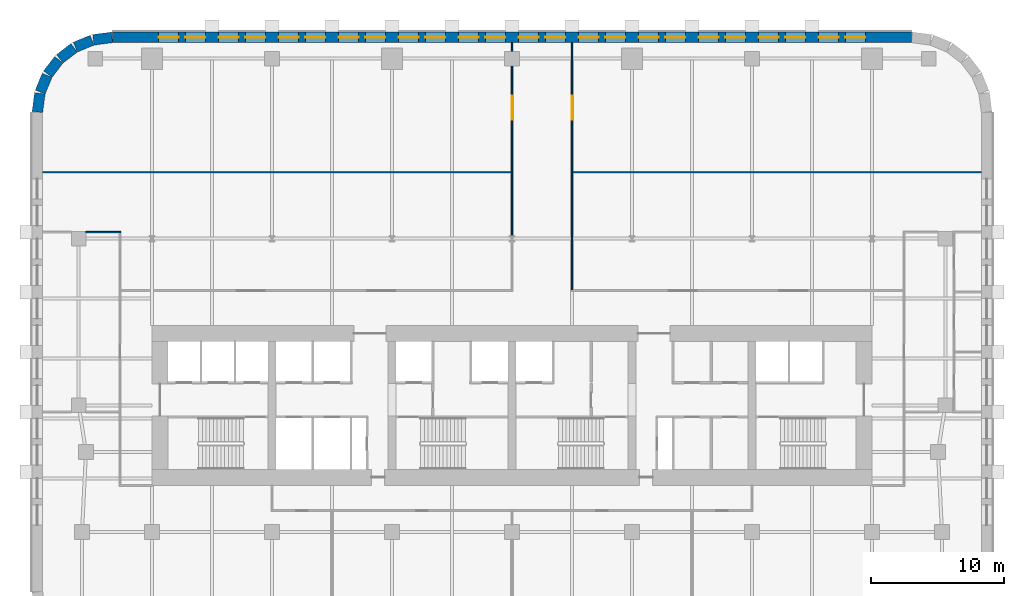
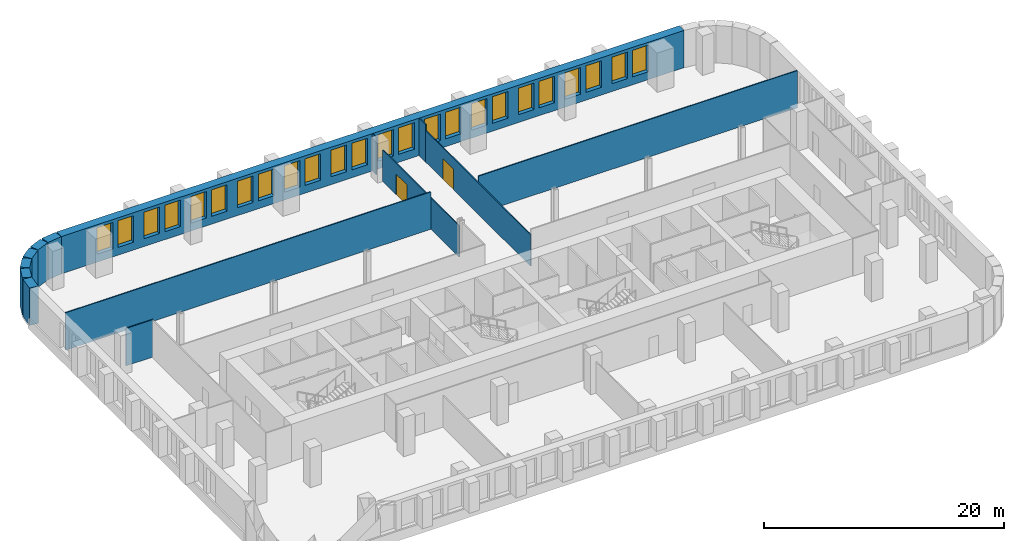
# One storey, part 7 of 11: 24 windows, 14 walls, 2 doors, 26 openings.
"""IFC4 building model written with IfcOpenShell, lengths in metres."""

from ifc_helpers import new_model, si_unit, direction, frame, frame_2d, origin, place, context, subcontext, project, spatial, rectangle, extrude, material, layer, layer_set, type_object, element, fill, save


model = new_model("IFC4")

# Units and contexts
model_context = context("Model", 3, precision=1e-05, world=origin(), true_north=direction((0.0, 1.0)))
body_context = subcontext(model_context, "Body", "Model", "MODEL_VIEW")
ifc_project = project(units=[si_unit("LENGTHUNIT", "METRE"), si_unit("AREAUNIT", "SQUARE_METRE"), si_unit("VOLUMEUNIT", "CUBIC_METRE"), si_unit("PLANEANGLEUNIT", "RADIAN"), si_unit("MASSUNIT", "GRAM", prefix="KILO")], contexts=[model_context])

# Site, building, storey
site_placement = place(None, origin())
site = spatial("IfcSite", under=ifc_project, at=site_placement, CompositionType="ELEMENT")
building_placement = place(site_placement, origin())
building = spatial("IfcBuilding", under=site, at=building_placement, Name="Zellij Exchange Tower", CompositionType="ELEMENT")
storey_placement = place(building_placement, frame((0.0, 0.0, 80.5)))
storey = spatial("IfcBuildingStorey", under=building, at=storey_placement, Name="L16", CompositionType="ELEMENT", Elevation=80.5)

# Wall, openings, windows
ifc_material_1 = material(Name="Precast concrete C40/50", Category="concrete")
ifc_layer_1 = layer(ifc_material_1, 0.800048828125)
ifc_layer_set_1 = layer_set([ifc_layer_1], Name="Precast concrete C40/50")
wall_type_1 = type_object("IfcWallType", Name="ENV-EW1 Precast stone-piered wall 800", PredefinedType="SOLIDWALL", material=ifc_layer_set_1)
wall_1_placement = place(storey_placement, frame((29.947509765625, 19.60009765625, 0.0), z_axis=(0.0, 0.0, 1.0), x_axis=(-1.0, 0.0, 0.0)))
wall_1 = element("IfcWall", 1, at=wall_1_placement, inside=storey, type_object=wall_type_1, Name="fac.L16.14", PredefinedType="SOLIDWALL", context=body_context, shape_type="SweptSolid", body=[
    extrude(rectangle(XDim=59.89501953125, YDim=0.800048828125, at=frame_2d((29.947509765625, 0.0))), origin(), (0.0, 0.0, 1.0), 3.800048828125),
])
opening_1_placement = place(wall_1_placement, frame((3.447509765625, 0.0, 0.800048828125)))
opening_1 = element("IfcOpeningElement", 2, at=opening_1_placement, cuts=wall_1, Name="Opening FZ1.37", PredefinedType="OPENING", context=body_context, shape_type="SweptSolid", body=[
    extrude(rectangle(XDim=1.5, YDim=2.699951171875, at=frame_2d((0.75, 1.35009765625))), frame((0.0, 0.412109375, 0.0), z_axis=(0.0, -1.0, 0.0), x_axis=(1.0, 0.0, 0.0)), (0.0, 0.0, 1.0), 0.823974609375),
])
opening_2_placement = place(wall_1_placement, frame((5.447509765625, 0.0, 0.800048828125)))
opening_2 = element("IfcOpeningElement", 3, at=opening_2_placement, cuts=wall_1, Name="Opening FZ1.38", PredefinedType="OPENING", context=body_context, shape_type="SweptSolid", body=[
    extrude(rectangle(XDim=1.5, YDim=2.699951171875, at=frame_2d((0.75, 1.35009765625))), frame((0.0, 0.412109375, 0.0), z_axis=(0.0, -1.0, 0.0), x_axis=(1.0, 0.0, 0.0)), (0.0, 0.0, 1.0), 0.823974609375),
])
opening_3_placement = place(wall_1_placement, frame((7.947509765625, 0.0, 0.800048828125)))
opening_3 = element("IfcOpeningElement", 4, at=opening_3_placement, cuts=wall_1, Name="Opening FZ1.39", PredefinedType="OPENING", context=body_context, shape_type="SweptSolid", body=[
    extrude(rectangle(XDim=1.5, YDim=2.699951171875, at=frame_2d((0.75, 1.35009765625))), frame((0.0, 0.412109375, 0.0), z_axis=(0.0, -1.0, 0.0), x_axis=(1.0, 0.0, 0.0)), (0.0, 0.0, 1.0), 0.823974609375),
])
opening_4_placement = place(wall_1_placement, frame((9.947509765625, 0.0, 0.800048828125)))
opening_4 = element("IfcOpeningElement", 5, at=opening_4_placement, cuts=wall_1, Name="Opening FZ1.40", PredefinedType="OPENING", context=body_context, shape_type="SweptSolid", body=[
    extrude(rectangle(XDim=1.5, YDim=2.699951171875, at=frame_2d((0.75, 1.35009765625))), frame((0.0, 0.412109375, 0.0), z_axis=(0.0, -1.0, 0.0), x_axis=(1.0, 0.0, 0.0)), (0.0, 0.0, 1.0), 0.823974609375),
])
opening_5_placement = place(wall_1_placement, frame((12.447509765625, 0.0, 0.800048828125)))
opening_5 = element("IfcOpeningElement", 6, at=opening_5_placement, cuts=wall_1, Name="Opening FZ1.41", PredefinedType="OPENING", context=body_context, shape_type="SweptSolid", body=[
    extrude(rectangle(XDim=1.5, YDim=2.699951171875, at=frame_2d((0.75, 1.35009765625))), frame((0.0, 0.412109375, 0.0), z_axis=(0.0, -1.0, 0.0), x_axis=(1.0, 0.0, 0.0)), (0.0, 0.0, 1.0), 0.823974609375),
])
opening_6_placement = place(wall_1_placement, frame((14.447509765625, 0.0, 0.800048828125)))
opening_6 = element("IfcOpeningElement", 7, at=opening_6_placement, cuts=wall_1, Name="Opening FZ1.42", PredefinedType="OPENING", context=body_context, shape_type="SweptSolid", body=[
    extrude(rectangle(XDim=1.5, YDim=2.699951171875, at=frame_2d((0.75, 1.35009765625))), frame((0.0, 0.412109375, 0.0), z_axis=(0.0, -1.0, 0.0), x_axis=(1.0, 0.0, 0.0)), (0.0, 0.0, 1.0), 0.823974609375),
])
opening_7_placement = place(wall_1_placement, frame((16.947509765625, 0.0, 0.800048828125)))
opening_7 = element("IfcOpeningElement", 8, at=opening_7_placement, cuts=wall_1, Name="Opening FZ1.43", PredefinedType="OPENING", context=body_context, shape_type="SweptSolid", body=[
    extrude(rectangle(XDim=1.5, YDim=2.699951171875, at=frame_2d((0.75, 1.35009765625))), frame((0.0, 0.412109375, 0.0), z_axis=(0.0, -1.0, 0.0), x_axis=(1.0, 0.0, 0.0)), (0.0, 0.0, 1.0), 0.823974609375),
])
opening_8_placement = place(wall_1_placement, frame((18.947509765625, 0.0, 0.800048828125)))
opening_8 = element("IfcOpeningElement", 9, at=opening_8_placement, cuts=wall_1, Name="Opening FZ1.44", PredefinedType="OPENING", context=body_context, shape_type="SweptSolid", body=[
    extrude(rectangle(XDim=1.5, YDim=2.699951171875, at=frame_2d((0.75, 1.35009765625))), frame((0.0, 0.412109375, 0.0), z_axis=(0.0, -1.0, 0.0), x_axis=(1.0, 0.0, 0.0)), (0.0, 0.0, 1.0), 0.823974609375),
])
opening_9_placement = place(wall_1_placement, frame((21.447509765625, 0.0, 0.800048828125)))
opening_9 = element("IfcOpeningElement", 10, at=opening_9_placement, cuts=wall_1, Name="Opening FZ1.45", PredefinedType="OPENING", context=body_context, shape_type="SweptSolid", body=[
    extrude(rectangle(XDim=1.5, YDim=2.699951171875, at=frame_2d((0.75, 1.35009765625))), frame((0.0, 0.412109375, 0.0), z_axis=(0.0, -1.0, 0.0), x_axis=(1.0, 0.0, 0.0)), (0.0, 0.0, 1.0), 0.823974609375),
])
opening_10_placement = place(wall_1_placement, frame((23.447509765625, 0.0, 0.800048828125)))
opening_10 = element("IfcOpeningElement", 11, at=opening_10_placement, cuts=wall_1, Name="Opening FZ1.46", PredefinedType="OPENING", context=body_context, shape_type="SweptSolid", body=[
    extrude(rectangle(XDim=1.5, YDim=2.699951171875, at=frame_2d((0.75, 1.35009765625))), frame((0.0, 0.412109375, 0.0), z_axis=(0.0, -1.0, 0.0), x_axis=(1.0, 0.0, 0.0)), (0.0, 0.0, 1.0), 0.823974609375),
])
opening_11_placement = place(wall_1_placement, frame((25.947509765625, 0.0, 0.800048828125)))
opening_11 = element("IfcOpeningElement", 12, at=opening_11_placement, cuts=wall_1, Name="Opening FZ1.47", PredefinedType="OPENING", context=body_context, shape_type="SweptSolid", body=[
    extrude(rectangle(XDim=1.5, YDim=2.699951171875, at=frame_2d((0.75, 1.35009765625))), frame((0.0, 0.412109375, 0.0), z_axis=(0.0, -1.0, 0.0), x_axis=(1.0, 0.0, 0.0)), (0.0, 0.0, 1.0), 0.823974609375),
])
opening_12_placement = place(wall_1_placement, frame((27.947509765625, 0.0, 0.800048828125)))
opening_12 = element("IfcOpeningElement", 13, at=opening_12_placement, cuts=wall_1, Name="Opening FZ1.48", PredefinedType="OPENING", context=body_context, shape_type="SweptSolid", body=[
    extrude(rectangle(XDim=1.5, YDim=2.699951171875, at=frame_2d((0.75, 1.35009765625))), frame((0.0, 0.412109375, 0.0), z_axis=(0.0, -1.0, 0.0), x_axis=(1.0, 0.0, 0.0)), (0.0, 0.0, 1.0), 0.823974609375),
])
opening_13_placement = place(wall_1_placement, frame((30.447509765625, 0.0, 0.800048828125)))
opening_13 = element("IfcOpeningElement", 14, at=opening_13_placement, cuts=wall_1, Name="Opening FZ1.49", PredefinedType="OPENING", context=body_context, shape_type="SweptSolid", body=[
    extrude(rectangle(XDim=1.5, YDim=2.699951171875, at=frame_2d((0.75, 1.35009765625))), frame((0.0, 0.412109375, 0.0), z_axis=(0.0, -1.0, 0.0), x_axis=(1.0, 0.0, 0.0)), (0.0, 0.0, 1.0), 0.823974609375),
])
opening_14_placement = place(wall_1_placement, frame((32.447509765625, 0.0, 0.800048828125)))
opening_14 = element("IfcOpeningElement", 15, at=opening_14_placement, cuts=wall_1, Name="Opening FZ1.50", PredefinedType="OPENING", context=body_context, shape_type="SweptSolid", body=[
    extrude(rectangle(XDim=1.5, YDim=2.699951171875, at=frame_2d((0.75, 1.35009765625))), frame((0.0, 0.412109375, 0.0), z_axis=(0.0, -1.0, 0.0), x_axis=(1.0, 0.0, 0.0)), (0.0, 0.0, 1.0), 0.823974609375),
])
opening_15_placement = place(wall_1_placement, frame((34.947509765625, 0.0, 0.800048828125)))
opening_15 = element("IfcOpeningElement", 16, at=opening_15_placement, cuts=wall_1, Name="Opening FZ1.51", PredefinedType="OPENING", context=body_context, shape_type="SweptSolid", body=[
    extrude(rectangle(XDim=1.5, YDim=2.699951171875, at=frame_2d((0.75, 1.35009765625))), frame((0.0, 0.412109375, 0.0), z_axis=(0.0, -1.0, 0.0), x_axis=(1.0, 0.0, 0.0)), (0.0, 0.0, 1.0), 0.823974609375),
])
opening_16_placement = place(wall_1_placement, frame((36.947509765625, 0.0, 0.800048828125)))
opening_16 = element("IfcOpeningElement", 17, at=opening_16_placement, cuts=wall_1, Name="Opening FZ1.52", PredefinedType="OPENING", context=body_context, shape_type="SweptSolid", body=[
    extrude(rectangle(XDim=1.5, YDim=2.699951171875, at=frame_2d((0.75, 1.35009765625))), frame((0.0, 0.412109375, 0.0), z_axis=(0.0, -1.0, 0.0), x_axis=(1.0, 0.0, 0.0)), (0.0, 0.0, 1.0), 0.823974609375),
])
opening_17_placement = place(wall_1_placement, frame((39.447509765625, 0.0, 0.800048828125)))
opening_17 = element("IfcOpeningElement", 18, at=opening_17_placement, cuts=wall_1, Name="Opening FZ1.53", PredefinedType="OPENING", context=body_context, shape_type="SweptSolid", body=[
    extrude(rectangle(XDim=1.5, YDim=2.699951171875, at=frame_2d((0.75, 1.35009765625))), frame((0.0, 0.412109375, 0.0), z_axis=(0.0, -1.0, 0.0), x_axis=(1.0, 0.0, 0.0)), (0.0, 0.0, 1.0), 0.823974609375),
])
opening_18_placement = place(wall_1_placement, frame((41.447509765625, 0.0, 0.800048828125)))
opening_18 = element("IfcOpeningElement", 19, at=opening_18_placement, cuts=wall_1, Name="Opening FZ1.54", PredefinedType="OPENING", context=body_context, shape_type="SweptSolid", body=[
    extrude(rectangle(XDim=1.5, YDim=2.699951171875, at=frame_2d((0.75, 1.35009765625))), frame((0.0, 0.412109375, 0.0), z_axis=(0.0, -1.0, 0.0), x_axis=(1.0, 0.0, 0.0)), (0.0, 0.0, 1.0), 0.823974609375),
])
opening_19_placement = place(wall_1_placement, frame((43.947509765625, 0.0, 0.800048828125)))
opening_19 = element("IfcOpeningElement", 20, at=opening_19_placement, cuts=wall_1, Name="Opening FZ1.55", PredefinedType="OPENING", context=body_context, shape_type="SweptSolid", body=[
    extrude(rectangle(XDim=1.5, YDim=2.699951171875, at=frame_2d((0.75, 1.35009765625))), frame((0.0, 0.412109375, 0.0), z_axis=(0.0, -1.0, 0.0), x_axis=(1.0, 0.0, 0.0)), (0.0, 0.0, 1.0), 0.823974609375),
])
opening_20_placement = place(wall_1_placement, frame((45.947509765625, 0.0, 0.800048828125)))
opening_20 = element("IfcOpeningElement", 21, at=opening_20_placement, cuts=wall_1, Name="Opening FZ1.56", PredefinedType="OPENING", context=body_context, shape_type="SweptSolid", body=[
    extrude(rectangle(XDim=1.5, YDim=2.699951171875, at=frame_2d((0.75, 1.35009765625))), frame((0.0, 0.412109375, 0.0), z_axis=(0.0, -1.0, 0.0), x_axis=(1.0, 0.0, 0.0)), (0.0, 0.0, 1.0), 0.823974609375),
])
opening_21_placement = place(wall_1_placement, frame((48.447509765625, 0.0, 0.800048828125)))
opening_21 = element("IfcOpeningElement", 22, at=opening_21_placement, cuts=wall_1, Name="Opening FZ1.57", PredefinedType="OPENING", context=body_context, shape_type="SweptSolid", body=[
    extrude(rectangle(XDim=1.5, YDim=2.699951171875, at=frame_2d((0.75, 1.35009765625))), frame((0.0, 0.412109375, 0.0), z_axis=(0.0, -1.0, 0.0), x_axis=(1.0, 0.0, 0.0)), (0.0, 0.0, 1.0), 0.823974609375),
])
opening_22_placement = place(wall_1_placement, frame((50.447509765625, 0.0, 0.800048828125)))
opening_22 = element("IfcOpeningElement", 23, at=opening_22_placement, cuts=wall_1, Name="Opening FZ1.58", PredefinedType="OPENING", context=body_context, shape_type="SweptSolid", body=[
    extrude(rectangle(XDim=1.5, YDim=2.699951171875, at=frame_2d((0.75, 1.35009765625))), frame((0.0, 0.412109375, 0.0), z_axis=(0.0, -1.0, 0.0), x_axis=(1.0, 0.0, 0.0)), (0.0, 0.0, 1.0), 0.823974609375),
])
opening_23_placement = place(wall_1_placement, frame((52.947509765625, 0.0, 0.800048828125)))
opening_23 = element("IfcOpeningElement", 24, at=opening_23_placement, cuts=wall_1, Name="Opening FZ1.59", PredefinedType="OPENING", context=body_context, shape_type="SweptSolid", body=[
    extrude(rectangle(XDim=1.5, YDim=2.699951171875, at=frame_2d((0.75, 1.35009765625))), frame((0.0, 0.412109375, 0.0), z_axis=(0.0, -1.0, 0.0), x_axis=(1.0, 0.0, 0.0)), (0.0, 0.0, 1.0), 0.823974609375),
])
opening_24_placement = place(wall_1_placement, frame((54.947509765625, 0.0, 0.800048828125)))
opening_24 = element("IfcOpeningElement", 25, at=opening_24_placement, cuts=wall_1, Name="Opening FZ1.60", PredefinedType="OPENING", context=body_context, shape_type="SweptSolid", body=[
    extrude(rectangle(XDim=1.5, YDim=2.699951171875, at=frame_2d((0.75, 1.35009765625))), frame((0.0, 0.412109375, 0.0), z_axis=(0.0, -1.0, 0.0), x_axis=(1.0, 0.0, 0.0)), (0.0, 0.0, 1.0), 0.823974609375),
])
ifc_material_2 = material(Name="Aluminium frame with insulating glass", Category="aluminium")
window_type = type_object("IfcWindowType", Name="ENV-W6 Window 1500x2700", PartitioningType="SINGLE_PANEL", PredefinedType="WINDOW", material=ifc_material_2)
window_1_placement = place(opening_1_placement, origin())
window_1 = element("IfcWindow", 26, at=window_1_placement, inside=storey, type_object=window_type, Name="Window FZ1.37", OverallHeight=2.699951171875, OverallWidth=1.5, PartitioningType="SINGLE_PANEL", PredefinedType="WINDOW", context=body_context, shape_type="SweptSolid", body=[
    extrude(rectangle(XDim=1.5, YDim=2.699951171875, at=frame_2d((0.75, 1.35009765625))), frame((0.0, 0.030029296875, 0.0), z_axis=(0.0, -1.0, 0.0), x_axis=(1.0, 0.0, 0.0)), (0.0, 0.0, 1.0), 0.06005859375),
])
fill(opening_1, window_1)
window_2_placement = place(opening_2_placement, origin())
window_2 = element("IfcWindow", 27, at=window_2_placement, inside=storey, type_object=window_type, Name="Window FZ1.38", OverallHeight=2.699951171875, OverallWidth=1.5, PartitioningType="SINGLE_PANEL", PredefinedType="WINDOW", context=body_context, shape_type="SweptSolid", body=[
    extrude(rectangle(XDim=1.5, YDim=2.699951171875, at=frame_2d((0.75, 1.35009765625))), frame((0.0, 0.030029296875, 0.0), z_axis=(0.0, -1.0, 0.0), x_axis=(1.0, 0.0, 0.0)), (0.0, 0.0, 1.0), 0.06005859375),
])
fill(opening_2, window_2)
window_3_placement = place(opening_3_placement, origin())
window_3 = element("IfcWindow", 28, at=window_3_placement, inside=storey, type_object=window_type, Name="Window FZ1.39", OverallHeight=2.699951171875, OverallWidth=1.5, PartitioningType="SINGLE_PANEL", PredefinedType="WINDOW", context=body_context, shape_type="SweptSolid", body=[
    extrude(rectangle(XDim=1.5, YDim=2.699951171875, at=frame_2d((0.75, 1.35009765625))), frame((0.0, 0.030029296875, 0.0), z_axis=(0.0, -1.0, 0.0), x_axis=(1.0, 0.0, 0.0)), (0.0, 0.0, 1.0), 0.06005859375),
])
fill(opening_3, window_3)
window_4_placement = place(opening_4_placement, origin())
window_4 = element("IfcWindow", 29, at=window_4_placement, inside=storey, type_object=window_type, Name="Window FZ1.40", OverallHeight=2.699951171875, OverallWidth=1.5, PartitioningType="SINGLE_PANEL", PredefinedType="WINDOW", context=body_context, shape_type="SweptSolid", body=[
    extrude(rectangle(XDim=1.5, YDim=2.699951171875, at=frame_2d((0.75, 1.35009765625))), frame((0.0, 0.030029296875, 0.0), z_axis=(0.0, -1.0, 0.0), x_axis=(1.0, 0.0, 0.0)), (0.0, 0.0, 1.0), 0.06005859375),
])
fill(opening_4, window_4)
window_5_placement = place(opening_5_placement, origin())
window_5 = element("IfcWindow", 30, at=window_5_placement, inside=storey, type_object=window_type, Name="Window FZ1.41", OverallHeight=2.699951171875, OverallWidth=1.5, PartitioningType="SINGLE_PANEL", PredefinedType="WINDOW", context=body_context, shape_type="SweptSolid", body=[
    extrude(rectangle(XDim=1.5, YDim=2.699951171875, at=frame_2d((0.75, 1.35009765625))), frame((0.0, 0.030029296875, 0.0), z_axis=(0.0, -1.0, 0.0), x_axis=(1.0, 0.0, 0.0)), (0.0, 0.0, 1.0), 0.06005859375),
])
fill(opening_5, window_5)
window_6_placement = place(opening_6_placement, origin())
window_6 = element("IfcWindow", 31, at=window_6_placement, inside=storey, type_object=window_type, Name="Window FZ1.42", OverallHeight=2.699951171875, OverallWidth=1.5, PartitioningType="SINGLE_PANEL", PredefinedType="WINDOW", context=body_context, shape_type="SweptSolid", body=[
    extrude(rectangle(XDim=1.5, YDim=2.699951171875, at=frame_2d((0.75, 1.35009765625))), frame((0.0, 0.030029296875, 0.0), z_axis=(0.0, -1.0, 0.0), x_axis=(1.0, 0.0, 0.0)), (0.0, 0.0, 1.0), 0.06005859375),
])
fill(opening_6, window_6)
window_7_placement = place(opening_7_placement, origin())
window_7 = element("IfcWindow", 32, at=window_7_placement, inside=storey, type_object=window_type, Name="Window FZ1.43", OverallHeight=2.699951171875, OverallWidth=1.5, PartitioningType="SINGLE_PANEL", PredefinedType="WINDOW", context=body_context, shape_type="SweptSolid", body=[
    extrude(rectangle(XDim=1.5, YDim=2.699951171875, at=frame_2d((0.75, 1.35009765625))), frame((0.0, 0.030029296875, 0.0), z_axis=(0.0, -1.0, 0.0), x_axis=(1.0, 0.0, 0.0)), (0.0, 0.0, 1.0), 0.06005859375),
])
fill(opening_7, window_7)
window_8_placement = place(opening_8_placement, origin())
window_8 = element("IfcWindow", 33, at=window_8_placement, inside=storey, type_object=window_type, Name="Window FZ1.44", OverallHeight=2.699951171875, OverallWidth=1.5, PartitioningType="SINGLE_PANEL", PredefinedType="WINDOW", context=body_context, shape_type="SweptSolid", body=[
    extrude(rectangle(XDim=1.5, YDim=2.699951171875, at=frame_2d((0.75, 1.35009765625))), frame((0.0, 0.030029296875, 0.0), z_axis=(0.0, -1.0, 0.0), x_axis=(1.0, 0.0, 0.0)), (0.0, 0.0, 1.0), 0.06005859375),
])
fill(opening_8, window_8)
window_9_placement = place(opening_9_placement, origin())
window_9 = element("IfcWindow", 34, at=window_9_placement, inside=storey, type_object=window_type, Name="Window FZ1.45", OverallHeight=2.699951171875, OverallWidth=1.5, PartitioningType="SINGLE_PANEL", PredefinedType="WINDOW", context=body_context, shape_type="SweptSolid", body=[
    extrude(rectangle(XDim=1.5, YDim=2.699951171875, at=frame_2d((0.75, 1.35009765625))), frame((0.0, 0.030029296875, 0.0), z_axis=(0.0, -1.0, 0.0), x_axis=(1.0, 0.0, 0.0)), (0.0, 0.0, 1.0), 0.06005859375),
])
fill(opening_9, window_9)
window_10_placement = place(opening_10_placement, origin())
window_10 = element("IfcWindow", 35, at=window_10_placement, inside=storey, type_object=window_type, Name="Window FZ1.46", OverallHeight=2.699951171875, OverallWidth=1.5, PartitioningType="SINGLE_PANEL", PredefinedType="WINDOW", context=body_context, shape_type="SweptSolid", body=[
    extrude(rectangle(XDim=1.5, YDim=2.699951171875, at=frame_2d((0.75, 1.35009765625))), frame((0.0, 0.030029296875, 0.0), z_axis=(0.0, -1.0, 0.0), x_axis=(1.0, 0.0, 0.0)), (0.0, 0.0, 1.0), 0.06005859375),
])
fill(opening_10, window_10)
window_11_placement = place(opening_11_placement, origin())
window_11 = element("IfcWindow", 36, at=window_11_placement, inside=storey, type_object=window_type, Name="Window FZ1.47", OverallHeight=2.699951171875, OverallWidth=1.5, PartitioningType="SINGLE_PANEL", PredefinedType="WINDOW", context=body_context, shape_type="SweptSolid", body=[
    extrude(rectangle(XDim=1.5, YDim=2.699951171875, at=frame_2d((0.75, 1.35009765625))), frame((0.0, 0.030029296875, 0.0), z_axis=(0.0, -1.0, 0.0), x_axis=(1.0, 0.0, 0.0)), (0.0, 0.0, 1.0), 0.06005859375),
])
fill(opening_11, window_11)
window_12_placement = place(opening_12_placement, origin())
window_12 = element("IfcWindow", 37, at=window_12_placement, inside=storey, type_object=window_type, Name="Window FZ1.48", OverallHeight=2.699951171875, OverallWidth=1.5, PartitioningType="SINGLE_PANEL", PredefinedType="WINDOW", context=body_context, shape_type="SweptSolid", body=[
    extrude(rectangle(XDim=1.5, YDim=2.699951171875, at=frame_2d((0.75, 1.35009765625))), frame((0.0, 0.030029296875, 0.0), z_axis=(0.0, -1.0, 0.0), x_axis=(1.0, 0.0, 0.0)), (0.0, 0.0, 1.0), 0.06005859375),
])
fill(opening_12, window_12)
window_13_placement = place(opening_13_placement, origin())
window_13 = element("IfcWindow", 38, at=window_13_placement, inside=storey, type_object=window_type, Name="Window FZ1.49", OverallHeight=2.699951171875, OverallWidth=1.5, PartitioningType="SINGLE_PANEL", PredefinedType="WINDOW", context=body_context, shape_type="SweptSolid", body=[
    extrude(rectangle(XDim=1.5, YDim=2.699951171875, at=frame_2d((0.75, 1.35009765625))), frame((0.0, 0.030029296875, 0.0), z_axis=(0.0, -1.0, 0.0), x_axis=(1.0, 0.0, 0.0)), (0.0, 0.0, 1.0), 0.06005859375),
])
fill(opening_13, window_13)
window_14_placement = place(opening_14_placement, origin())
window_14 = element("IfcWindow", 39, at=window_14_placement, inside=storey, type_object=window_type, Name="Window FZ1.50", OverallHeight=2.699951171875, OverallWidth=1.5, PartitioningType="SINGLE_PANEL", PredefinedType="WINDOW", context=body_context, shape_type="SweptSolid", body=[
    extrude(rectangle(XDim=1.5, YDim=2.699951171875, at=frame_2d((0.75, 1.35009765625))), frame((0.0, 0.030029296875, 0.0), z_axis=(0.0, -1.0, 0.0), x_axis=(1.0, 0.0, 0.0)), (0.0, 0.0, 1.0), 0.06005859375),
])
fill(opening_14, window_14)
window_15_placement = place(opening_15_placement, origin())
window_15 = element("IfcWindow", 40, at=window_15_placement, inside=storey, type_object=window_type, Name="Window FZ1.51", OverallHeight=2.699951171875, OverallWidth=1.5, PartitioningType="SINGLE_PANEL", PredefinedType="WINDOW", context=body_context, shape_type="SweptSolid", body=[
    extrude(rectangle(XDim=1.5, YDim=2.699951171875, at=frame_2d((0.75, 1.35009765625))), frame((0.0, 0.030029296875, 0.0), z_axis=(0.0, -1.0, 0.0), x_axis=(1.0, 0.0, 0.0)), (0.0, 0.0, 1.0), 0.06005859375),
])
fill(opening_15, window_15)
window_16_placement = place(opening_16_placement, origin())
window_16 = element("IfcWindow", 41, at=window_16_placement, inside=storey, type_object=window_type, Name="Window FZ1.52", OverallHeight=2.699951171875, OverallWidth=1.5, PartitioningType="SINGLE_PANEL", PredefinedType="WINDOW", context=body_context, shape_type="SweptSolid", body=[
    extrude(rectangle(XDim=1.5, YDim=2.699951171875, at=frame_2d((0.75, 1.35009765625))), frame((0.0, 0.030029296875, 0.0), z_axis=(0.0, -1.0, 0.0), x_axis=(1.0, 0.0, 0.0)), (0.0, 0.0, 1.0), 0.06005859375),
])
fill(opening_16, window_16)
window_17_placement = place(opening_17_placement, origin())
window_17 = element("IfcWindow", 42, at=window_17_placement, inside=storey, type_object=window_type, Name="Window FZ1.53", OverallHeight=2.699951171875, OverallWidth=1.5, PartitioningType="SINGLE_PANEL", PredefinedType="WINDOW", context=body_context, shape_type="SweptSolid", body=[
    extrude(rectangle(XDim=1.5, YDim=2.699951171875, at=frame_2d((0.75, 1.35009765625))), frame((0.0, 0.030029296875, 0.0), z_axis=(0.0, -1.0, 0.0), x_axis=(1.0, 0.0, 0.0)), (0.0, 0.0, 1.0), 0.06005859375),
])
fill(opening_17, window_17)
window_18_placement = place(opening_18_placement, origin())
window_18 = element("IfcWindow", 43, at=window_18_placement, inside=storey, type_object=window_type, Name="Window FZ1.54", OverallHeight=2.699951171875, OverallWidth=1.5, PartitioningType="SINGLE_PANEL", PredefinedType="WINDOW", context=body_context, shape_type="SweptSolid", body=[
    extrude(rectangle(XDim=1.5, YDim=2.699951171875, at=frame_2d((0.75, 1.35009765625))), frame((0.0, 0.030029296875, 0.0), z_axis=(0.0, -1.0, 0.0), x_axis=(1.0, 0.0, 0.0)), (0.0, 0.0, 1.0), 0.06005859375),
])
fill(opening_18, window_18)
window_19_placement = place(opening_19_placement, origin())
window_19 = element("IfcWindow", 44, at=window_19_placement, inside=storey, type_object=window_type, Name="Window FZ1.55", OverallHeight=2.699951171875, OverallWidth=1.5, PartitioningType="SINGLE_PANEL", PredefinedType="WINDOW", context=body_context, shape_type="SweptSolid", body=[
    extrude(rectangle(XDim=1.5, YDim=2.699951171875, at=frame_2d((0.75, 1.35009765625))), frame((0.0, 0.030029296875, 0.0), z_axis=(0.0, -1.0, 0.0), x_axis=(1.0, 0.0, 0.0)), (0.0, 0.0, 1.0), 0.06005859375),
])
fill(opening_19, window_19)
window_20_placement = place(opening_20_placement, origin())
window_20 = element("IfcWindow", 45, at=window_20_placement, inside=storey, type_object=window_type, Name="Window FZ1.56", OverallHeight=2.699951171875, OverallWidth=1.5, PartitioningType="SINGLE_PANEL", PredefinedType="WINDOW", context=body_context, shape_type="SweptSolid", body=[
    extrude(rectangle(XDim=1.5, YDim=2.699951171875, at=frame_2d((0.75, 1.35009765625))), frame((0.0, 0.030029296875, 0.0), z_axis=(0.0, -1.0, 0.0), x_axis=(1.0, 0.0, 0.0)), (0.0, 0.0, 1.0), 0.06005859375),
])
fill(opening_20, window_20)
window_21_placement = place(opening_21_placement, origin())
window_21 = element("IfcWindow", 46, at=window_21_placement, inside=storey, type_object=window_type, Name="Window FZ1.57", OverallHeight=2.699951171875, OverallWidth=1.5, PartitioningType="SINGLE_PANEL", PredefinedType="WINDOW", context=body_context, shape_type="SweptSolid", body=[
    extrude(rectangle(XDim=1.5, YDim=2.699951171875, at=frame_2d((0.75, 1.35009765625))), frame((0.0, 0.030029296875, 0.0), z_axis=(0.0, -1.0, 0.0), x_axis=(1.0, 0.0, 0.0)), (0.0, 0.0, 1.0), 0.06005859375),
])
fill(opening_21, window_21)
window_22_placement = place(opening_22_placement, origin())
window_22 = element("IfcWindow", 47, at=window_22_placement, inside=storey, type_object=window_type, Name="Window FZ1.58", OverallHeight=2.699951171875, OverallWidth=1.5, PartitioningType="SINGLE_PANEL", PredefinedType="WINDOW", context=body_context, shape_type="SweptSolid", body=[
    extrude(rectangle(XDim=1.5, YDim=2.699951171875, at=frame_2d((0.75, 1.35009765625))), frame((0.0, 0.030029296875, 0.0), z_axis=(0.0, -1.0, 0.0), x_axis=(1.0, 0.0, 0.0)), (0.0, 0.0, 1.0), 0.06005859375),
])
fill(opening_22, window_22)
window_23_placement = place(opening_23_placement, origin())
window_23 = element("IfcWindow", 48, at=window_23_placement, inside=storey, type_object=window_type, Name="Window FZ1.59", OverallHeight=2.699951171875, OverallWidth=1.5, PartitioningType="SINGLE_PANEL", PredefinedType="WINDOW", context=body_context, shape_type="SweptSolid", body=[
    extrude(rectangle(XDim=1.5, YDim=2.699951171875, at=frame_2d((0.75, 1.35009765625))), frame((0.0, 0.030029296875, 0.0), z_axis=(0.0, -1.0, 0.0), x_axis=(1.0, 0.0, 0.0)), (0.0, 0.0, 1.0), 0.06005859375),
])
fill(opening_23, window_23)
window_24_placement = place(opening_24_placement, origin())
window_24 = element("IfcWindow", 49, at=window_24_placement, inside=storey, type_object=window_type, Name="Window FZ1.60", OverallHeight=2.699951171875, OverallWidth=1.5, PartitioningType="SINGLE_PANEL", PredefinedType="WINDOW", context=body_context, shape_type="SweptSolid", body=[
    extrude(rectangle(XDim=1.5, YDim=2.699951171875, at=frame_2d((0.75, 1.35009765625))), frame((0.0, 0.030029296875, 0.0), z_axis=(0.0, -1.0, 0.0), x_axis=(1.0, 0.0, 0.0)), (0.0, 0.0, 1.0), 0.06005859375),
])
fill(opening_24, window_24)

# Walls
wall_2_placement = place(storey_placement, frame((-29.999755859375, 19.5966796875, 0.0), z_axis=(0.0, 0.0, 1.0), x_axis=(-0.99144603414, -0.130517283865, 0.0)))
element("IfcWall", 50, at=wall_2_placement, inside=storey, type_object=wall_type_1, Name="fac.L16.15", PredefinedType="SOLIDWALL", context=body_context, shape_type="SweptSolid", body=[
    extrude(rectangle(XDim=1.408447265625, YDim=0.800048828125, at=frame_2d((0.7041015625, 0.0))), origin(), (0.0, 0.0, 1.0), 3.800048828125),
])
wall_3_placement = place(storey_placement, frame((-31.497314453125, 19.3857421875, 0.0), z_axis=(0.0, 0.0, 1.0), x_axis=(-0.923847774587, -0.38276009378, 0.0)))
element("IfcWall", 51, at=wall_3_placement, inside=storey, type_object=wall_type_1, Name="fac.L16.16", PredefinedType="SOLIDWALL", context=body_context, shape_type="SweptSolid", body=[
    extrude(rectangle(XDim=1.35546875, YDim=0.800048828125, at=frame_2d((0.677734375, 0.0))), origin(), (0.0, 0.0, 1.0), 3.800048828125),
])
for number, where, z_axis, x_axis, name in (
    (52, (-32.840087890625, 18.814697265625, 0.0), (0.0, 0.0, 1.0), (-0.793272915452, -0.608866226366, 0.0), "fac.L16.17"),
    (53, (-33.9892578125, 17.91552734375, 0.0), (0.0, 0.0, 1.0), (-0.608866226366, -0.793272915452, 0.0), "fac.L16.18"),
):
    element("IfcWall", number, at=place(storey_placement, frame(where, z_axis=z_axis, x_axis=x_axis)), inside=storey, type_object=wall_type_1, Name=name, PredefinedType="SOLIDWALL", context=body_context, shape_type="SweptSolid", body=[
        extrude(rectangle(XDim=1.355712890625, YDim=0.800048828125, at=frame_2d((0.677734375, 0.0))), origin(), (0.0, 0.0, 1.0), 3.800048828125),
    ])
wall_4_placement = place(storey_placement, frame((-34.866943359375, 16.74951171875, 0.0), z_axis=(0.0, 0.0, 1.0), x_axis=(-0.38276009378, -0.923847774587, 0.0)))
element("IfcWall", 54, at=wall_4_placement, inside=storey, type_object=wall_type_1, Name="fac.L16.19", PredefinedType="SOLIDWALL", context=body_context, shape_type="SweptSolid", body=[
    extrude(rectangle(XDim=1.35546875, YDim=0.800048828125, at=frame_2d((0.677734375, 0.0))), origin(), (0.0, 0.0, 1.0), 3.800048828125),
])
wall_5_placement = place(storey_placement, frame((-35.412841796875, 15.396240234375, 0.0), z_axis=(0.0, 0.0, 1.0), x_axis=(-0.130517283865, -0.99144603414, 0.0)))
element("IfcWall", 55, at=wall_5_placement, inside=storey, type_object=wall_type_1, Name="fac.L16.20", PredefinedType="SOLIDWALL", context=body_context, shape_type="SweptSolid", body=[
    extrude(rectangle(XDim=1.408447265625, YDim=0.800048828125, at=frame_2d((0.7041015625, 0.0))), origin(), (0.0, 0.0, 1.0), 3.800048828125),
])

# Wall, opening, door
ifc_material_3 = material(Name="Gypsum board partition on steel studs", Category="steel")
ifc_layer_2 = layer(ifc_material_3, 0.10009765625)
ifc_layer_set_2 = layer_set([ifc_layer_2], Name="Gypsum board partition on steel studs")
wall_type_2 = type_object("IfcWallType", Name="FIT-PARTITION-100", PredefinedType="PARTITIONING", material=ifc_layer_set_2)
wall_6_placement = place(storey_placement, frame((0.0, 4.7490234375, 0.0), z_axis=(0.0, 0.0, 1.0), x_axis=(0.0, 1.0, 0.0)))
wall_6 = element("IfcWall", 56, at=wall_6_placement, inside=storey, type_object=wall_type_2, Name="FIT-PARTITION-100 023", PredefinedType="PARTITIONING", context=body_context, shape_type="SweptSolid", body=[
    extrude(rectangle(XDim=12.700927734375, YDim=0.10009765625, at=frame_2d((6.3505859375, 0.0))), origin(), (0.0, 0.0, 1.0), 3.18798828125),
])
opening_25_placement = place(wall_6_placement, frame((8.68115234375, 0.0, 0.0)))
opening_25 = element("IfcOpeningElement", 57, at=opening_25_placement, cuts=wall_6, Name="Opening TC.14", PredefinedType="OPENING", context=body_context, shape_type="SweptSolid", body=[
    extrude(rectangle(XDim=1.800048828125, YDim=2.10009765625, at=frame_2d((0.89990234375, 1.050048828125))), frame((0.0, 0.06201171875, 0.0), z_axis=(0.0, -1.0, 0.0), x_axis=(1.0, 0.0, 0.0)), (0.0, 0.0, 1.0), 0.1240234375),
])
ifc_material_4 = material(Name="Timber door set", Category="wood")
door_type = type_object("IfcDoorType", Name="FIT-D3-DOUBLE-1800X2100", OperationType="DOUBLE_DOOR_SINGLE_SWING", PredefinedType="DOOR", material=ifc_material_4)
door_1_placement = place(opening_25_placement, origin())
door_1 = element("IfcDoor", 58, at=door_1_placement, inside=storey, type_object=door_type, Name="Door TC.14", OperationType="DOUBLE_DOOR_SINGLE_SWING", OverallHeight=2.10009765625, OverallWidth=1.800048828125, PredefinedType="DOOR", context=body_context, shape_type="SweptSolid", body=[
    extrude(rectangle(XDim=1.800048828125, YDim=2.10009765625, at=frame_2d((0.89990234375, 1.050048828125))), frame((0.0, 0.02490234375, 0.0), z_axis=(0.0, -1.0, 0.0), x_axis=(1.0, 0.0, 0.0)), (0.0, 0.0, 1.0), 0.050048828125),
])
fill(opening_25, door_1)

# Wall
wall_7_placement = place(storey_placement, frame((0.0, 18.550048828125, 0.0), z_axis=(0.0, 0.0, 1.0), x_axis=(0.0, 1.0, 0.0)))
element("IfcWall", 59, at=wall_7_placement, inside=storey, type_object=wall_type_2, Name="FIT-PARTITION-100 024", PredefinedType="PARTITIONING", context=body_context, shape_type="SweptSolid", body=[
    extrude(rectangle(XDim=0.64990234375, YDim=0.10009765625, at=frame_2d((0.324951171875, 0.0))), origin(), (0.0, 0.0, 1.0), 3.800048828125),
])

# Wall, opening, door
wall_8_placement = place(storey_placement, frame((4.5, 0.64990234375, 0.0), z_axis=(0.0, 0.0, 1.0), x_axis=(0.0, 1.0, 0.0)))
wall_8 = element("IfcWall", 60, at=wall_8_placement, inside=storey, type_object=wall_type_2, Name="FIT-PARTITION-100 026", PredefinedType="PARTITIONING", context=body_context, shape_type="SweptSolid", body=[
    extrude(rectangle(XDim=17.464599609375, YDim=0.10009765625, at=frame_2d((8.732421875, 0.0))), origin(), (0.0, 0.0, 1.0), 3.197998046875),
])
opening_26_placement = place(wall_8_placement, frame((12.780029296875, 0.0, 0.0)))
opening_26 = element("IfcOpeningElement", 61, at=opening_26_placement, cuts=wall_8, Name="Opening TC.15", PredefinedType="OPENING", context=body_context, shape_type="SweptSolid", body=[
    extrude(rectangle(XDim=1.800048828125, YDim=2.10009765625, at=frame_2d((0.89990234375, 1.050048828125))), frame((0.0, 0.06201171875, 0.0), z_axis=(0.0, -1.0, 0.0), x_axis=(1.0, 0.0, 0.0)), (0.0, 0.0, 1.0), 0.1240234375),
])
door_2_placement = place(opening_26_placement, origin())
door_2 = element("IfcDoor", 62, at=door_2_placement, inside=storey, type_object=door_type, Name="Door TC.15", OperationType="DOUBLE_DOOR_SINGLE_SWING", OverallHeight=2.10009765625, OverallWidth=1.800048828125, PredefinedType="DOOR", context=body_context, shape_type="SweptSolid", body=[
    extrude(rectangle(XDim=1.800048828125, YDim=2.10009765625, at=frame_2d((0.89990234375, 1.050048828125))), frame((0.0, 0.02490234375, 0.0), z_axis=(0.0, -1.0, 0.0), x_axis=(1.0, 0.0, 0.0)), (0.0, 0.0, 1.0), 0.050048828125),
])
fill(opening_26, door_2)

# Walls
wall_9_placement = place(storey_placement, frame((4.5, 18.114501953125, 0.0), z_axis=(0.0, 0.0, 1.0), x_axis=(0.0, 1.0, 0.0)))
element("IfcWall", 63, at=wall_9_placement, inside=storey, type_object=wall_type_2, Name="FIT-PARTITION-100 027", PredefinedType="PARTITIONING", context=body_context, shape_type="SweptSolid", body=[
    extrude(rectangle(XDim=1.08544921875, YDim=0.10009765625, at=frame_2d((0.542724609375, 0.0))), origin(), (0.0, 0.0, 1.0), 3.800048828125),
])
wall_10_placement = place(storey_placement, frame((-31.949951171875, 4.989990234375, 0.0), z_axis=(0.0, 0.0, 1.0), x_axis=(1.0, 0.0, 0.0)))
element("IfcWall", 64, at=wall_10_placement, inside=storey, type_object=wall_type_2, Name="FIT-PARTITION-100 029", PredefinedType="PARTITIONING", context=body_context, shape_type="SweptSolid", body=[
    extrude(rectangle(XDim=2.599853515625, YDim=0.10009765625, at=frame_2d((1.2998046875, 0.0))), origin(), (0.0, 0.0, 1.0), 3.800048828125),
])
wall_11_placement = place(storey_placement, frame((-35.199951171875, 9.47998046875, 0.0), z_axis=(0.0, 0.0, 1.0), x_axis=(1.0, 0.0, 0.0)))
element("IfcWall", 65, at=wall_11_placement, inside=storey, type_object=wall_type_2, Name="FIT-PARTITION-100 032", PredefinedType="PARTITIONING", context=body_context, shape_type="SweptSolid", body=[
    extrude(rectangle(XDim=35.14990234375, YDim=0.10009765625, at=frame_2d((17.574951171875, 0.0))), origin(), (0.0, 0.0, 1.0), 3.800048828125),
])
wall_12_placement = place(storey_placement, frame((4.550048828125, 9.47998046875, 0.0), z_axis=(0.0, 0.0, 1.0), x_axis=(1.0, 0.0, 0.0)))
element("IfcWall", 66, at=wall_12_placement, inside=storey, type_object=wall_type_2, Name="FIT-PARTITION-100 033", PredefinedType="PARTITIONING", context=body_context, shape_type="SweptSolid", body=[
    extrude(rectangle(XDim=30.64990234375, YDim=0.10009765625, at=frame_2d((15.324951171875, 0.0))), origin(), (0.0, 0.0, 1.0), 3.800048828125),
])

save(model, "model.ifc")
